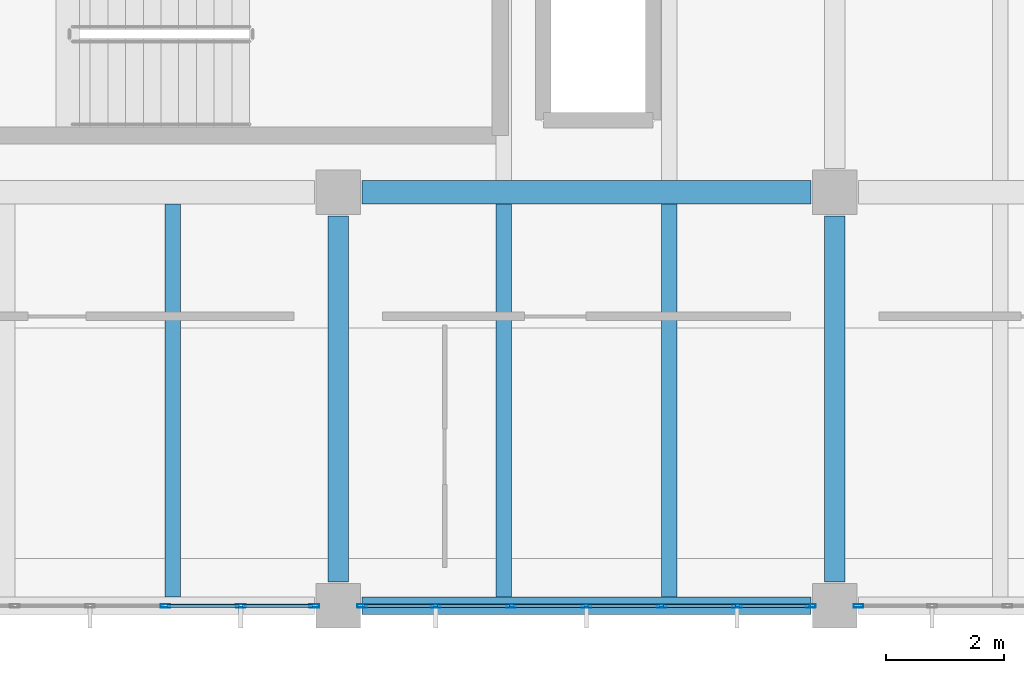
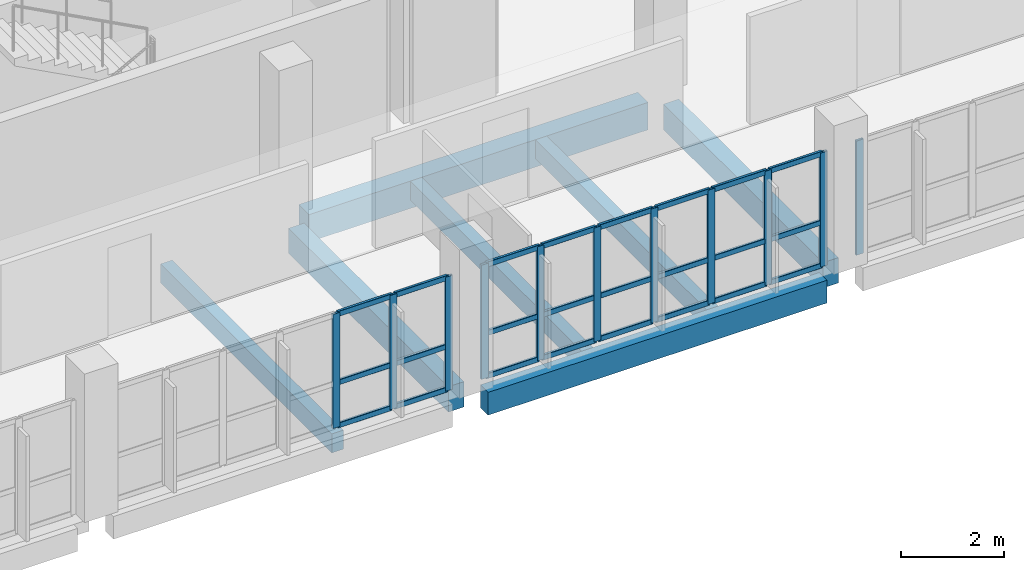
# One storey, part 15 of 95: 35 members, 7 beams, 3 elements without a shape of their own.
"""IFC4 building model written with IfcOpenShell, lengths in metres."""

from ifc_helpers import new_model, si_unit, direction, frame, origin, origin_2d, place, context, subcontext, project, spatial, rectangle, hollow_rectangle, extrude, material, layer, layer_set, material_profile, profile_set, type_object, element, aggregate, save


model = new_model("IFC4")

# Units and contexts
model_context = context("Model", 3, precision=1e-05, world=origin(), true_north=direction((0.0, 1.0)))
body_context = subcontext(model_context, "Body", "Model", "MODEL_VIEW")
ifc_project = project(units=[si_unit("LENGTHUNIT", "METRE"), si_unit("AREAUNIT", "SQUARE_METRE"), si_unit("VOLUMEUNIT", "CUBIC_METRE"), si_unit("PLANEANGLEUNIT", "RADIAN"), si_unit("MASSUNIT", "GRAM", prefix="KILO"), si_unit("THERMODYNAMICTEMPERATUREUNIT", "KELVIN"), si_unit("POWERUNIT", "WATT")], contexts=[model_context])

# Site, building, storey
site_placement = place(None, origin())
site = spatial("IfcSite", under=ifc_project, at=site_placement, CompositionType="ELEMENT")
building_placement = place(site_placement, origin())
building = spatial("IfcBuilding", under=site, at=building_placement, Name="Mavoryth Pier Ferry Terminal", CompositionType="ELEMENT")
storey_placement = place(building_placement, frame((0.0, 0.0, 9.60009765625)))
storey = spatial("IfcBuildingStorey", under=building, at=storey_placement, Name="L02", CompositionType="ELEMENT", Elevation=9.60009765625)

# Beams
ifc_material_1 = material(Name="Concrete C35/45", Category="concrete")
ifc_material_profile_1 = material_profile(ifc_material_1, rectangle(XDim=0.35009765625, YDim=0.60009765625, at=origin_2d()), Name="RC 350x600", Category="concrete")
ifc_profile_set_1 = profile_set([ifc_material_profile_1], Name="Concrete C35/45 - RC 350x600")
beam_type_1 = type_object("IfcBeamType", Name="Girder-RC-350x600", PredefinedType="BEAM", material=ifc_profile_set_1)
for number, where, z_axis, x_axis, name in (
    (1, (67.199951171875, 0.39990234375, -0.56005859375), (0.0, 1.0, 0.0), (-1.0, 0.0, 0.0), "Beam B02-BG08-0984"),
    (2, (75.60009765625, 0.39990234375, -0.56005859375), (0.0, 1.0, 0.0), (-1.0, 0.0, 0.0), "Beam B02-BG08-0987"),
):
    element("IfcBeam", number, at=place(storey_placement, frame(where, z_axis=z_axis, x_axis=x_axis)), inside=storey, type_object=beam_type_1, Name=name, PredefinedType="BEAM", context=body_context, shape_type="SweptSolid", body=[
        extrude(rectangle(XDim=0.35009765625, YDim=0.60009765625, at=origin_2d()), origin(), (0.0, 0.0, 1.0), 6.2001953125),
    ])
ifc_material_profile_2 = material_profile(ifc_material_1, rectangle(XDim=0.39990234375, YDim=0.64990234375, at=origin_2d()), Name="RC 400x650", Category="concrete")
ifc_profile_set_2 = profile_set([ifc_material_profile_2], Name="Concrete C35/45 - RC 400x650")
beam_type_2 = type_object("IfcBeamType", Name="Girder-RC-400x650", PredefinedType="BEAM", material=ifc_profile_set_2)
beam_1_placement = place(storey_placement, frame((67.60009765625, 7.0, -0.585205078125), z_axis=(1.0, 0.0, 0.0), x_axis=(0.0, 1.0, 0.0)))
element("IfcBeam", 3, at=beam_1_placement, inside=storey, type_object=beam_type_2, Name="Beam B02-BG05-0960", PredefinedType="BEAM", context=body_context, shape_type="SweptSolid", body=[
    extrude(rectangle(XDim=0.39990234375, YDim=0.64990234375, at=origin_2d()), origin(), (0.0, 0.0, 1.0), 7.599853515625),
])
ifc_material_profile_3 = material_profile(ifc_material_1, rectangle(XDim=0.260009765625, YDim=0.449951171875, at=origin_2d()), Name="RC 260x450", Category="concrete")
ifc_profile_set_3 = profile_set([ifc_material_profile_3], Name="Concrete C35/45 - RC 260x450")
beam_type_3 = type_object("IfcBeamType", Name="Joist-RC-260x450", PredefinedType="JOIST", material=ifc_profile_set_3)
for number, where, z_axis, x_axis, name in (
    (4, (64.39990234375, 0.14990234375, -0.485107421875), (0.0, 1.0, 0.0), (-1.0, 0.0, 0.0), "Beam B02-BJ03-1007"),
    (5, (70.0, 0.14990234375, -0.485107421875), (0.0, 1.0, 0.0), (-1.0, 0.0, 0.0), "Beam B02-BJ03-1010"),
    (6, (72.800048828125, 0.14990234375, -0.485107421875), (0.0, 1.0, 0.0), (-1.0, 0.0, 0.0), "Beam B02-BJ03-1011"),
):
    element("IfcBeam", number, at=place(storey_placement, frame(where, z_axis=z_axis, x_axis=x_axis)), inside=storey, type_object=beam_type_3, Name=name, PredefinedType="JOIST", context=body_context, shape_type="SweptSolid", body=[
        extrude(rectangle(XDim=0.260009765625, YDim=0.449951171875, at=origin_2d()), origin(), (0.0, 0.0, 1.0), 6.650146484375),
    ])

# Curtain wall, members
ifc_material_2 = material(Name="Anodised Aluminium and Solar-Control Low-E Glass", Category="aluminium")
ifc_layer = layer(ifc_material_2, 0.239990234375, Name="Anodised Aluminium and Solar-Control Low-E Glass", Category="aluminium")
ifc_layer_set = layer_set([ifc_layer], Name="Anodised Aluminium and Solar-Control Low-E Glass - CW-Operations-Mod1200")
curtain_wall_type = type_object("IfcCurtainWallType", Name="CW-Operations-Mod1200", PredefinedType="USERDEFINED", material=ifc_layer_set)
curtain_wall_1_placement = place(storey_placement, origin())
curtain_wall_1 = element("IfcCurtainWall", 7, at=curtain_wall_1_placement, inside=storey, type_object=curtain_wall_type, Name="Curtain Wall CW-0222-125", ObjectType="UNITISED CURTAIN WALL", PredefinedType="USERDEFINED")
ifc_material_3 = material(Name="Anodised Aluminium EN AW-6063", Category="aluminium")
ifc_material_profile_4 = material_profile(ifc_material_3, hollow_rectangle(XDim=0.06005859375, YDim=0.1650390625, WallThickness=0.00390625, InnerFilletRadius=0.00390625, OuterFilletRadius=0.008056640625, at=origin_2d()), Name="AL-MULL 165x60x4", Category="aluminium")
ifc_profile_set_4 = profile_set([ifc_material_profile_4], Name="Anodised Aluminium EN AW-6063 - AL-MULL 165x60x4")
member_type_1 = type_object("IfcMemberType", Name="Mullion-Alum-165x60", PredefinedType="MULLION", material=ifc_profile_set_4)
member_1_placement = place(storey_placement, frame((64.27490234375, 0.0, 0.0), z_axis=(0.0, 0.0, 1.0), x_axis=(0.0, 1.0, 0.0)))
member_1 = element("IfcMember", 8, at=member_1_placement, type_object=member_type_1, Name="CW06 mullion 5", PredefinedType="MULLION", context=body_context, shape_type="SweptSolid", body=[
    extrude(hollow_rectangle(XDim=0.06005859375, YDim=0.1650390625, WallThickness=0.00390625, InnerFilletRadius=0.00390625, OuterFilletRadius=0.008056640625, at=origin_2d()), origin(), (0.0, 0.0, 1.0), 2.704833984375),
])
member_2_placement = place(storey_placement, frame((65.550048828125, 0.0, 0.0), z_axis=(0.0, 0.0, 1.0), x_axis=(0.0, 1.0, 0.0)))
member_2 = element("IfcMember", 9, at=member_2_placement, type_object=member_type_1, Name="CW06 mullion 6", PredefinedType="MULLION", context=body_context, shape_type="SweptSolid", body=[
    extrude(hollow_rectangle(XDim=0.06005859375, YDim=0.1650390625, WallThickness=0.00390625, InnerFilletRadius=0.00390625, OuterFilletRadius=0.008056640625, at=origin_2d()), origin(), (0.0, 0.0, 1.0), 2.704833984375),
])
member_3_placement = place(storey_placement, frame((66.794921875, 0.0, 0.0), z_axis=(0.0, 0.0, 1.0), x_axis=(0.0, 1.0, 0.0)))
member_3 = element("IfcMember", 10, at=member_3_placement, type_object=member_type_1, Name="CW06 mullion 7", PredefinedType="MULLION", context=body_context, shape_type="SweptSolid", body=[
    extrude(hollow_rectangle(XDim=0.06005859375, YDim=0.1650390625, WallThickness=0.00390625, InnerFilletRadius=0.00390625, OuterFilletRadius=0.008056640625, at=origin_2d()), origin(), (0.0, 0.0, 1.0), 2.704833984375),
])

curtain_wall_2_placement = place(storey_placement, origin())
curtain_wall_2 = element("IfcCurtainWall", 11, at=curtain_wall_2_placement, inside=storey, type_object=curtain_wall_type, Name="Curtain Wall CW-0222-127", ObjectType="UNITISED CURTAIN WALL", PredefinedType="USERDEFINED")
member_4_placement = place(storey_placement, frame((67.60498046875, 0.0, 0.0), z_axis=(0.0, 0.0, 1.0), x_axis=(0.0, 1.0, 0.0)))
member_4 = element("IfcMember", 12, at=member_4_placement, type_object=member_type_1, Name="CW06 mullion 1", PredefinedType="MULLION", context=body_context, shape_type="SweptSolid", body=[
    extrude(hollow_rectangle(XDim=0.06005859375, YDim=0.1650390625, WallThickness=0.00390625, InnerFilletRadius=0.00390625, OuterFilletRadius=0.008056640625, at=origin_2d()), origin(), (0.0, 0.0, 1.0), 2.704833984375),
])
member_5_placement = place(storey_placement, frame((68.85009765625, 0.0, 0.0), z_axis=(0.0, 0.0, 1.0), x_axis=(0.0, 1.0, 0.0)))
member_5 = element("IfcMember", 13, at=member_5_placement, type_object=member_type_1, Name="CW06 mullion 2", PredefinedType="MULLION", context=body_context, shape_type="SweptSolid", body=[
    extrude(hollow_rectangle(XDim=0.06005859375, YDim=0.1650390625, WallThickness=0.00390625, InnerFilletRadius=0.00390625, OuterFilletRadius=0.008056640625, at=origin_2d()), origin(), (0.0, 0.0, 1.0), 2.704833984375),
])
member_6_placement = place(storey_placement, frame((70.125, 0.0, 0.0), z_axis=(0.0, 0.0, 1.0), x_axis=(0.0, 1.0, 0.0)))
member_6 = element("IfcMember", 14, at=member_6_placement, type_object=member_type_1, Name="CW06 mullion 3", PredefinedType="MULLION", context=body_context, shape_type="SweptSolid", body=[
    extrude(hollow_rectangle(XDim=0.06005859375, YDim=0.1650390625, WallThickness=0.00390625, InnerFilletRadius=0.00390625, OuterFilletRadius=0.008056640625, at=origin_2d()), origin(), (0.0, 0.0, 1.0), 2.704833984375),
])
member_7_placement = place(storey_placement, frame((71.39990234375, 0.0, 0.0), z_axis=(0.0, 0.0, 1.0), x_axis=(0.0, 1.0, 0.0)))
member_7 = element("IfcMember", 15, at=member_7_placement, type_object=member_type_1, Name="CW06 mullion 4", PredefinedType="MULLION", context=body_context, shape_type="SweptSolid", body=[
    extrude(hollow_rectangle(XDim=0.06005859375, YDim=0.1650390625, WallThickness=0.00390625, InnerFilletRadius=0.00390625, OuterFilletRadius=0.008056640625, at=origin_2d()), origin(), (0.0, 0.0, 1.0), 2.704833984375),
])
member_8_placement = place(storey_placement, frame((72.675048828125, 0.0, 0.0), z_axis=(0.0, 0.0, 1.0), x_axis=(0.0, 1.0, 0.0)))
member_8 = element("IfcMember", 16, at=member_8_placement, type_object=member_type_1, Name="CW06 mullion 5", PredefinedType="MULLION", context=body_context, shape_type="SweptSolid", body=[
    extrude(hollow_rectangle(XDim=0.06005859375, YDim=0.1650390625, WallThickness=0.00390625, InnerFilletRadius=0.00390625, OuterFilletRadius=0.008056640625, at=origin_2d()), origin(), (0.0, 0.0, 1.0), 2.704833984375),
])
member_9_placement = place(storey_placement, frame((73.949951171875, 0.0, 0.0), z_axis=(0.0, 0.0, 1.0), x_axis=(0.0, 1.0, 0.0)))
member_9 = element("IfcMember", 17, at=member_9_placement, type_object=member_type_1, Name="CW06 mullion 6", PredefinedType="MULLION", context=body_context, shape_type="SweptSolid", body=[
    extrude(hollow_rectangle(XDim=0.06005859375, YDim=0.1650390625, WallThickness=0.00390625, InnerFilletRadius=0.00390625, OuterFilletRadius=0.008056640625, at=origin_2d()), origin(), (0.0, 0.0, 1.0), 2.704833984375),
])
member_10_placement = place(storey_placement, frame((75.195068359375, 0.0, 0.0), z_axis=(0.0, 0.0, 1.0), x_axis=(0.0, 1.0, 0.0)))
member_10 = element("IfcMember", 18, at=member_10_placement, type_object=member_type_1, Name="CW06 mullion 7", PredefinedType="MULLION", context=body_context, shape_type="SweptSolid", body=[
    extrude(hollow_rectangle(XDim=0.06005859375, YDim=0.1650390625, WallThickness=0.00390625, InnerFilletRadius=0.00390625, OuterFilletRadius=0.008056640625, at=origin_2d()), origin(), (0.0, 0.0, 1.0), 2.704833984375),
])

# Curtain wall, member
curtain_wall_3_placement = place(storey_placement, origin())
curtain_wall_3 = element("IfcCurtainWall", 19, at=curtain_wall_3_placement, inside=storey, type_object=curtain_wall_type, Name="Curtain Wall CW-0222-129", ObjectType="UNITISED CURTAIN WALL", PredefinedType="USERDEFINED")
member_11_placement = place(storey_placement, frame((76.0048828125, 0.0, 0.0), z_axis=(0.0, 0.0, 1.0), x_axis=(0.0, 1.0, 0.0)))
member_11 = element("IfcMember", 20, at=member_11_placement, type_object=member_type_1, Name="CW06 mullion 1", PredefinedType="MULLION", context=body_context, shape_type="SweptSolid", body=[
    extrude(hollow_rectangle(XDim=0.06005859375, YDim=0.1650390625, WallThickness=0.00390625, InnerFilletRadius=0.00390625, OuterFilletRadius=0.008056640625, at=origin_2d()), origin(), (0.0, 0.0, 1.0), 2.704833984375),
])
aggregate(curtain_wall_3, [member_11])

# Beam
ifc_material_profile_5 = material_profile(ifc_material_1, rectangle(XDim=0.300048828125, YDim=0.5400390625, at=origin_2d()), Name="RC 300x540", Category="concrete")
ifc_profile_set_5 = profile_set([ifc_material_profile_5], Name="Concrete C35/45 - RC 300x540")
beam_type_4 = type_object("IfcBeamType", Name="Spandrel-RC-300x540", PredefinedType="SPANDREL", material=ifc_profile_set_5)
beam_2_placement = place(storey_placement, frame((67.60009765625, 0.0, -0.530029296875), z_axis=(1.0, 0.0, 0.0), x_axis=(0.0, 1.0, 0.0)))
element("IfcBeam", 21, at=beam_2_placement, inside=storey, type_object=beam_type_4, Name="Beam B02-SP02-0954", PredefinedType="SPANDREL", context=body_context, shape_type="SweptSolid", body=[
    extrude(rectangle(XDim=0.300048828125, YDim=0.5400390625, at=origin_2d()), origin(), (0.0, 0.0, 1.0), 7.599853515625),
])

# Member
ifc_material_profile_6 = material_profile(ifc_material_3, hollow_rectangle(XDim=0.06005859375, YDim=0.125, WallThickness=0.00390625, InnerFilletRadius=0.00390625, OuterFilletRadius=0.008056640625, at=origin_2d()), Name="AL-TRAN 125x60x4", Category="aluminium")
ifc_profile_set_6 = profile_set([ifc_material_profile_6], Name="Anodised Aluminium EN AW-6063 - AL-TRAN 125x60x4")
member_type_2 = type_object("IfcMemberType", Name="Transom-Alum-125x60", PredefinedType="USERDEFINED", material=ifc_profile_set_6)
member_12_placement = place(storey_placement, frame((64.304931640625, 0.0, 0.02978515625), z_axis=(1.0, 0.0, 0.0), x_axis=(0.0, 1.0, 0.0)))
member_12 = element("IfcMember", 22, at=member_12_placement, type_object=member_type_2, Name="CW06 transom 5.1", ObjectType="TRANSOM", PredefinedType="USERDEFINED", context=body_context, shape_type="SweptSolid", body=[
    extrude(hollow_rectangle(XDim=0.06005859375, YDim=0.125, WallThickness=0.00390625, InnerFilletRadius=0.00390625, OuterFilletRadius=0.008056640625, at=origin_2d()), origin(), (0.0, 0.0, 1.0), 1.215087890625),
])

member_13_placement = place(storey_placement, frame((64.304931640625, 0.0, 1.0498046875), z_axis=(1.0, 0.0, 0.0), x_axis=(0.0, 1.0, 0.0)))
member_13 = element("IfcMember", 23, at=member_13_placement, type_object=member_type_2, Name="CW06 transom 5.2", ObjectType="TRANSOM", PredefinedType="USERDEFINED", context=body_context, shape_type="SweptSolid", body=[
    extrude(hollow_rectangle(XDim=0.06005859375, YDim=0.125, WallThickness=0.00390625, InnerFilletRadius=0.00390625, OuterFilletRadius=0.008056640625, at=origin_2d()), origin(), (0.0, 0.0, 1.0), 1.215087890625),
])

member_14_placement = place(storey_placement, frame((64.304931640625, 0.0, 2.6748046875), z_axis=(1.0, 0.0, 0.0), x_axis=(0.0, 1.0, 0.0)))
member_14 = element("IfcMember", 24, at=member_14_placement, type_object=member_type_2, Name="CW06 transom 5.3", ObjectType="TRANSOM", PredefinedType="USERDEFINED", context=body_context, shape_type="SweptSolid", body=[
    extrude(hollow_rectangle(XDim=0.06005859375, YDim=0.125, WallThickness=0.00390625, InnerFilletRadius=0.00390625, OuterFilletRadius=0.008056640625, at=origin_2d()), origin(), (0.0, 0.0, 1.0), 1.215087890625),
])

member_15_placement = place(storey_placement, frame((65.580078125, 0.0, 0.02978515625), z_axis=(1.0, 0.0, 0.0), x_axis=(0.0, 1.0, 0.0)))
member_15 = element("IfcMember", 25, at=member_15_placement, type_object=member_type_2, Name="CW06 transom 6.1", ObjectType="TRANSOM", PredefinedType="USERDEFINED", context=body_context, shape_type="SweptSolid", body=[
    extrude(hollow_rectangle(XDim=0.06005859375, YDim=0.125, WallThickness=0.00390625, InnerFilletRadius=0.00390625, OuterFilletRadius=0.008056640625, at=origin_2d()), origin(), (0.0, 0.0, 1.0), 1.184814453125),
])

member_16_placement = place(storey_placement, frame((65.580078125, 0.0, 1.0498046875), z_axis=(1.0, 0.0, 0.0), x_axis=(0.0, 1.0, 0.0)))
member_16 = element("IfcMember", 26, at=member_16_placement, type_object=member_type_2, Name="CW06 transom 6.2", ObjectType="TRANSOM", PredefinedType="USERDEFINED", context=body_context, shape_type="SweptSolid", body=[
    extrude(hollow_rectangle(XDim=0.06005859375, YDim=0.125, WallThickness=0.00390625, InnerFilletRadius=0.00390625, OuterFilletRadius=0.008056640625, at=origin_2d()), origin(), (0.0, 0.0, 1.0), 1.184814453125),
])

member_17_placement = place(storey_placement, frame((65.580078125, 0.0, 2.6748046875), z_axis=(1.0, 0.0, 0.0), x_axis=(0.0, 1.0, 0.0)))
member_17 = element("IfcMember", 27, at=member_17_placement, type_object=member_type_2, Name="CW06 transom 6.3", ObjectType="TRANSOM", PredefinedType="USERDEFINED", context=body_context, shape_type="SweptSolid", body=[
    extrude(hollow_rectangle(XDim=0.06005859375, YDim=0.125, WallThickness=0.00390625, InnerFilletRadius=0.00390625, OuterFilletRadius=0.008056640625, at=origin_2d()), origin(), (0.0, 0.0, 1.0), 1.184814453125),
])

aggregate(curtain_wall_1, [member_1, member_2, member_3, member_12, member_13, member_14, member_15, member_16, member_17])

member_18_placement = place(storey_placement, frame((67.635009765625, 0.0, 0.02978515625), z_axis=(1.0, 0.0, 0.0), x_axis=(0.0, 1.0, 0.0)))
member_18 = element("IfcMember", 28, at=member_18_placement, type_object=member_type_2, Name="CW06 transom 1.1", ObjectType="TRANSOM", PredefinedType="USERDEFINED", context=body_context, shape_type="SweptSolid", body=[
    extrude(hollow_rectangle(XDim=0.06005859375, YDim=0.125, WallThickness=0.00390625, InnerFilletRadius=0.00390625, OuterFilletRadius=0.008056640625, at=origin_2d()), origin(), (0.0, 0.0, 1.0), 1.18505859375),
])

member_19_placement = place(storey_placement, frame((67.635009765625, 0.0, 1.0498046875), z_axis=(1.0, 0.0, 0.0), x_axis=(0.0, 1.0, 0.0)))
member_19 = element("IfcMember", 29, at=member_19_placement, type_object=member_type_2, Name="CW06 transom 1.2", ObjectType="TRANSOM", PredefinedType="USERDEFINED", context=body_context, shape_type="SweptSolid", body=[
    extrude(hollow_rectangle(XDim=0.06005859375, YDim=0.125, WallThickness=0.00390625, InnerFilletRadius=0.00390625, OuterFilletRadius=0.008056640625, at=origin_2d()), origin(), (0.0, 0.0, 1.0), 1.18505859375),
])

member_20_placement = place(storey_placement, frame((67.635009765625, 0.0, 2.6748046875), z_axis=(1.0, 0.0, 0.0), x_axis=(0.0, 1.0, 0.0)))
member_20 = element("IfcMember", 30, at=member_20_placement, type_object=member_type_2, Name="CW06 transom 1.3", ObjectType="TRANSOM", PredefinedType="USERDEFINED", context=body_context, shape_type="SweptSolid", body=[
    extrude(hollow_rectangle(XDim=0.06005859375, YDim=0.125, WallThickness=0.00390625, InnerFilletRadius=0.00390625, OuterFilletRadius=0.008056640625, at=origin_2d()), origin(), (0.0, 0.0, 1.0), 1.18505859375),
])

member_21_placement = place(storey_placement, frame((68.8798828125, 0.0, 0.02978515625), z_axis=(1.0, 0.0, 0.0), x_axis=(0.0, 1.0, 0.0)))
member_21 = element("IfcMember", 31, at=member_21_placement, type_object=member_type_2, Name="CW06 transom 2.1", ObjectType="TRANSOM", PredefinedType="USERDEFINED", context=body_context, shape_type="SweptSolid", body=[
    extrude(hollow_rectangle(XDim=0.06005859375, YDim=0.125, WallThickness=0.00390625, InnerFilletRadius=0.00390625, OuterFilletRadius=0.008056640625, at=origin_2d()), origin(), (0.0, 0.0, 1.0), 1.215087890625),
])

member_22_placement = place(storey_placement, frame((68.8798828125, 0.0, 1.0498046875), z_axis=(1.0, 0.0, 0.0), x_axis=(0.0, 1.0, 0.0)))
member_22 = element("IfcMember", 32, at=member_22_placement, type_object=member_type_2, Name="CW06 transom 2.2", ObjectType="TRANSOM", PredefinedType="USERDEFINED", context=body_context, shape_type="SweptSolid", body=[
    extrude(hollow_rectangle(XDim=0.06005859375, YDim=0.125, WallThickness=0.00390625, InnerFilletRadius=0.00390625, OuterFilletRadius=0.008056640625, at=origin_2d()), origin(), (0.0, 0.0, 1.0), 1.215087890625),
])

member_23_placement = place(storey_placement, frame((68.8798828125, 0.0, 2.6748046875), z_axis=(1.0, 0.0, 0.0), x_axis=(0.0, 1.0, 0.0)))
member_23 = element("IfcMember", 33, at=member_23_placement, type_object=member_type_2, Name="CW06 transom 2.3", ObjectType="TRANSOM", PredefinedType="USERDEFINED", context=body_context, shape_type="SweptSolid", body=[
    extrude(hollow_rectangle(XDim=0.06005859375, YDim=0.125, WallThickness=0.00390625, InnerFilletRadius=0.00390625, OuterFilletRadius=0.008056640625, at=origin_2d()), origin(), (0.0, 0.0, 1.0), 1.215087890625),
])

member_24_placement = place(storey_placement, frame((70.155029296875, 0.0, 0.02978515625), z_axis=(1.0, 0.0, 0.0), x_axis=(0.0, 1.0, 0.0)))
member_24 = element("IfcMember", 34, at=member_24_placement, type_object=member_type_2, Name="CW06 transom 3.1", ObjectType="TRANSOM", PredefinedType="USERDEFINED", context=body_context, shape_type="SweptSolid", body=[
    extrude(hollow_rectangle(XDim=0.06005859375, YDim=0.125, WallThickness=0.00390625, InnerFilletRadius=0.00390625, OuterFilletRadius=0.008056640625, at=origin_2d()), origin(), (0.0, 0.0, 1.0), 1.215087890625),
])

member_25_placement = place(storey_placement, frame((70.155029296875, 0.0, 1.0498046875), z_axis=(1.0, 0.0, 0.0), x_axis=(0.0, 1.0, 0.0)))
member_25 = element("IfcMember", 35, at=member_25_placement, type_object=member_type_2, Name="CW06 transom 3.2", ObjectType="TRANSOM", PredefinedType="USERDEFINED", context=body_context, shape_type="SweptSolid", body=[
    extrude(hollow_rectangle(XDim=0.06005859375, YDim=0.125, WallThickness=0.00390625, InnerFilletRadius=0.00390625, OuterFilletRadius=0.008056640625, at=origin_2d()), origin(), (0.0, 0.0, 1.0), 1.215087890625),
])

member_26_placement = place(storey_placement, frame((70.155029296875, 0.0, 2.6748046875), z_axis=(1.0, 0.0, 0.0), x_axis=(0.0, 1.0, 0.0)))
member_26 = element("IfcMember", 36, at=member_26_placement, type_object=member_type_2, Name="CW06 transom 3.3", ObjectType="TRANSOM", PredefinedType="USERDEFINED", context=body_context, shape_type="SweptSolid", body=[
    extrude(hollow_rectangle(XDim=0.06005859375, YDim=0.125, WallThickness=0.00390625, InnerFilletRadius=0.00390625, OuterFilletRadius=0.008056640625, at=origin_2d()), origin(), (0.0, 0.0, 1.0), 1.215087890625),
])

member_27_placement = place(storey_placement, frame((71.429931640625, 0.0, 0.02978515625), z_axis=(1.0, 0.0, 0.0), x_axis=(0.0, 1.0, 0.0)))
member_27 = element("IfcMember", 37, at=member_27_placement, type_object=member_type_2, Name="CW06 transom 4.1", ObjectType="TRANSOM", PredefinedType="USERDEFINED", context=body_context, shape_type="SweptSolid", body=[
    extrude(hollow_rectangle(XDim=0.06005859375, YDim=0.125, WallThickness=0.00390625, InnerFilletRadius=0.00390625, OuterFilletRadius=0.008056640625, at=origin_2d()), origin(), (0.0, 0.0, 1.0), 1.215087890625),
])

member_28_placement = place(storey_placement, frame((71.429931640625, 0.0, 1.0498046875), z_axis=(1.0, 0.0, 0.0), x_axis=(0.0, 1.0, 0.0)))
member_28 = element("IfcMember", 38, at=member_28_placement, type_object=member_type_2, Name="CW06 transom 4.2", ObjectType="TRANSOM", PredefinedType="USERDEFINED", context=body_context, shape_type="SweptSolid", body=[
    extrude(hollow_rectangle(XDim=0.06005859375, YDim=0.125, WallThickness=0.00390625, InnerFilletRadius=0.00390625, OuterFilletRadius=0.008056640625, at=origin_2d()), origin(), (0.0, 0.0, 1.0), 1.215087890625),
])

member_29_placement = place(storey_placement, frame((71.429931640625, 0.0, 2.6748046875), z_axis=(1.0, 0.0, 0.0), x_axis=(0.0, 1.0, 0.0)))
member_29 = element("IfcMember", 39, at=member_29_placement, type_object=member_type_2, Name="CW06 transom 4.3", ObjectType="TRANSOM", PredefinedType="USERDEFINED", context=body_context, shape_type="SweptSolid", body=[
    extrude(hollow_rectangle(XDim=0.06005859375, YDim=0.125, WallThickness=0.00390625, InnerFilletRadius=0.00390625, OuterFilletRadius=0.008056640625, at=origin_2d()), origin(), (0.0, 0.0, 1.0), 1.215087890625),
])

member_30_placement = place(storey_placement, frame((72.705078125, 0.0, 0.02978515625), z_axis=(1.0, 0.0, 0.0), x_axis=(0.0, 1.0, 0.0)))
member_30 = element("IfcMember", 40, at=member_30_placement, type_object=member_type_2, Name="CW06 transom 5.1", ObjectType="TRANSOM", PredefinedType="USERDEFINED", context=body_context, shape_type="SweptSolid", body=[
    extrude(hollow_rectangle(XDim=0.06005859375, YDim=0.125, WallThickness=0.00390625, InnerFilletRadius=0.00390625, OuterFilletRadius=0.008056640625, at=origin_2d()), origin(), (0.0, 0.0, 1.0), 1.21484375),
])

member_31_placement = place(storey_placement, frame((72.705078125, 0.0, 1.0498046875), z_axis=(1.0, 0.0, 0.0), x_axis=(0.0, 1.0, 0.0)))
member_31 = element("IfcMember", 41, at=member_31_placement, type_object=member_type_2, Name="CW06 transom 5.2", ObjectType="TRANSOM", PredefinedType="USERDEFINED", context=body_context, shape_type="SweptSolid", body=[
    extrude(hollow_rectangle(XDim=0.06005859375, YDim=0.125, WallThickness=0.00390625, InnerFilletRadius=0.00390625, OuterFilletRadius=0.008056640625, at=origin_2d()), origin(), (0.0, 0.0, 1.0), 1.21484375),
])

member_32_placement = place(storey_placement, frame((72.705078125, 0.0, 2.6748046875), z_axis=(1.0, 0.0, 0.0), x_axis=(0.0, 1.0, 0.0)))
member_32 = element("IfcMember", 42, at=member_32_placement, type_object=member_type_2, Name="CW06 transom 5.3", ObjectType="TRANSOM", PredefinedType="USERDEFINED", context=body_context, shape_type="SweptSolid", body=[
    extrude(hollow_rectangle(XDim=0.06005859375, YDim=0.125, WallThickness=0.00390625, InnerFilletRadius=0.00390625, OuterFilletRadius=0.008056640625, at=origin_2d()), origin(), (0.0, 0.0, 1.0), 1.21484375),
])

member_33_placement = place(storey_placement, frame((73.97998046875, 0.0, 0.02978515625), z_axis=(1.0, 0.0, 0.0), x_axis=(0.0, 1.0, 0.0)))
member_33 = element("IfcMember", 43, at=member_33_placement, type_object=member_type_2, Name="CW06 transom 6.1", ObjectType="TRANSOM", PredefinedType="USERDEFINED", context=body_context, shape_type="SweptSolid", body=[
    extrude(hollow_rectangle(XDim=0.06005859375, YDim=0.125, WallThickness=0.00390625, InnerFilletRadius=0.00390625, OuterFilletRadius=0.008056640625, at=origin_2d()), origin(), (0.0, 0.0, 1.0), 1.18505859375),
])

member_34_placement = place(storey_placement, frame((73.97998046875, 0.0, 1.0498046875), z_axis=(1.0, 0.0, 0.0), x_axis=(0.0, 1.0, 0.0)))
member_34 = element("IfcMember", 44, at=member_34_placement, type_object=member_type_2, Name="CW06 transom 6.2", ObjectType="TRANSOM", PredefinedType="USERDEFINED", context=body_context, shape_type="SweptSolid", body=[
    extrude(hollow_rectangle(XDim=0.06005859375, YDim=0.125, WallThickness=0.00390625, InnerFilletRadius=0.00390625, OuterFilletRadius=0.008056640625, at=origin_2d()), origin(), (0.0, 0.0, 1.0), 1.18505859375),
])

member_35_placement = place(storey_placement, frame((73.97998046875, 0.0, 2.6748046875), z_axis=(1.0, 0.0, 0.0), x_axis=(0.0, 1.0, 0.0)))
member_35 = element("IfcMember", 45, at=member_35_placement, type_object=member_type_2, Name="CW06 transom 6.3", ObjectType="TRANSOM", PredefinedType="USERDEFINED", context=body_context, shape_type="SweptSolid", body=[
    extrude(hollow_rectangle(XDim=0.06005859375, YDim=0.125, WallThickness=0.00390625, InnerFilletRadius=0.00390625, OuterFilletRadius=0.008056640625, at=origin_2d()), origin(), (0.0, 0.0, 1.0), 1.18505859375),
])

aggregate(curtain_wall_2, [member_4, member_5, member_6, member_7, member_8, member_9, member_10, member_18, member_19, member_20, member_21, member_22, member_23, member_24, member_25, member_26, member_27, member_28, member_29, member_30, member_31, member_32, member_33, member_34, member_35])

save(model, "model.ifc")
